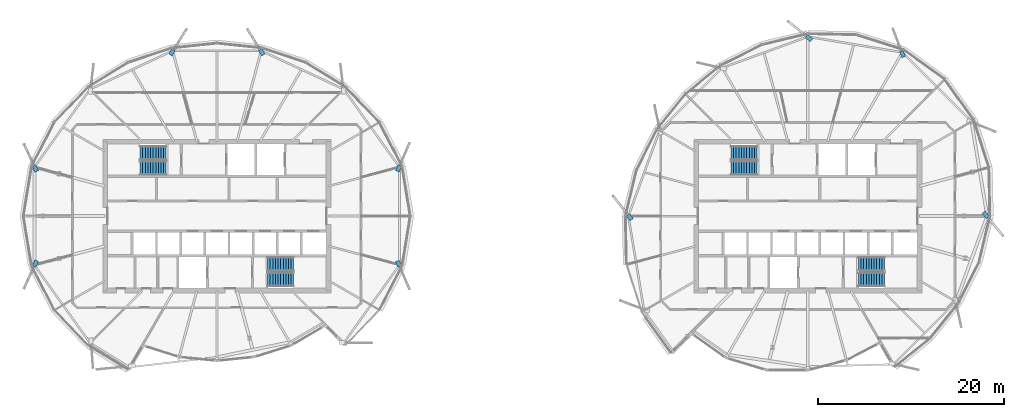
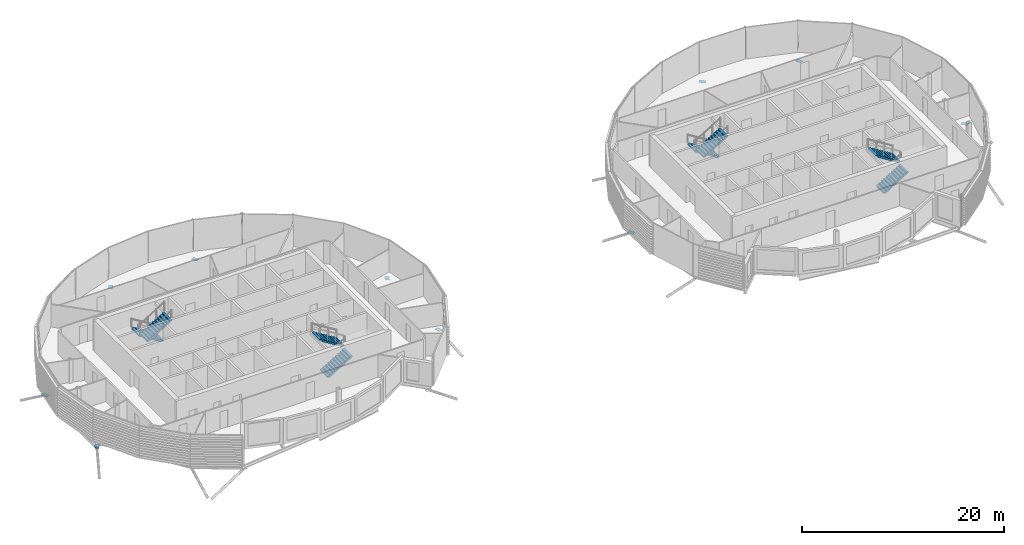
# One storey, part 24 of 35: 10 discrete accessories, 8 stair flights, 4 elements without a shape of their own.
"""IFC4 building model written with IfcOpenShell, lengths in metres."""

from ifc_helpers import new_model, si_unit, direction, frame, origin, origin_2d, place, context, subcontext, project, spatial, polyline, rectangle, outline, extrude, material, material_profile, profile_set, type_object, element, aggregate, save


model = new_model("IFC4")

# Units and contexts
model_context = context("Model", 3, precision=1e-05, world=origin(), true_north=direction((0.0, 1.0)))
body_context = subcontext(model_context, "Body", "Model", "MODEL_VIEW")
ifc_project = project(units=[si_unit("LENGTHUNIT", "METRE"), si_unit("AREAUNIT", "SQUARE_METRE"), si_unit("VOLUMEUNIT", "CUBIC_METRE"), si_unit("PLANEANGLEUNIT", "RADIAN"), si_unit("MASSUNIT", "GRAM", prefix="KILO")], contexts=[model_context])

# Site, building, storey
site_placement = place(None, origin())
site = spatial("IfcSite", under=ifc_project, at=site_placement, CompositionType="ELEMENT")
building_placement = place(site_placement, origin())
building = spatial("IfcBuilding", under=site, at=building_placement, Name="Rimbun Link Towers", CompositionType="ELEMENT")
storey_placement = place(building_placement, frame((0.0, 0.0, 229.5)))
storey = spatial("IfcBuildingStorey", under=building, at=storey_placement, Name="L56", CompositionType="ELEMENT", Elevation=229.5)

# Stair, stair flights
ifc_material_1 = material(Name="Concrete C40/50", Category="concrete")
stair_type = type_object("IfcStairType", Name="Exit stair 3800 rise", PredefinedType="HALF_TURN_STAIR", material=ifc_material_1)
stair_1_placement = place(storey_placement, origin())
stair_1 = element("IfcStair", 1, at=stair_1_placement, inside=storey, type_object=stair_type, Name="L56 EXIT STAIR A", PredefinedType="HALF_TURN_STAIR")
ifc_material_2 = material(Name="Concrete C40/50", Category="concrete")
stair_flight_type = type_object("IfcStairFlightType", Name="Exit stair flight 3800 rise", PredefinedType="STRAIGHT", material=ifc_material_2)
stair_flight_1_placement = place(storey_placement, frame((-37.199951171875, 6.800048828125, 0.0), z_axis=(0.0, 0.0, 1.0), x_axis=(-1.0, 0.0, 0.0)))
stair_flight_1 = element("IfcStairFlight", 2, at=stair_flight_1_placement, type_object=stair_flight_type, Name="ST1 flight 1", NumberOfRisers=11, NumberOfTreads=10, PredefinedType="STRAIGHT", RiserHeight=0.172727273, TreadLength=0.28, context=body_context, shape_type="SweptSolid", body=[
    extrude(outline(polyline([(0.0, 0.0), (0.0, 0.172607421875), (0.280029296875, 0.172607421875), (0.280029296875, 0.345458984375), (0.56005859375, 0.345458984375), (0.56005859375, 0.51806640625), (0.840087890625, 0.51806640625), (0.840087890625, 0.69091796875), (1.1201171875, 0.69091796875), (1.1201171875, 0.863525390625), (1.39990234375, 0.863525390625), (1.39990234375, 1.036376953125), (1.679931640625, 1.036376953125), (1.679931640625, 1.208984375), (1.9599609375, 1.208984375), (1.9599609375, 1.3818359375), (2.239990234375, 1.3818359375), (2.239990234375, 1.554443359375), (2.52001953125, 1.554443359375), (2.52001953125, 1.727294921875), (2.800048828125, 1.727294921875), (2.800048828125, 1.89990234375), (2.800048828125, 1.551025390625), (0.280029296875, 0.0), (0.0, 0.0)])), frame((0.0, 0.75, 0.0), z_axis=(0.0, -1.0, 0.0), x_axis=(1.0, 0.0, 0.0)), (0.0, 0.0, 1.0), 1.5),
])
stair_flight_2_placement = place(storey_placement, frame((-40.0, 5.14990234375, 1.89990234375), z_axis=(0.0, 0.0, 1.0), x_axis=(1.0, 0.0, 0.0)))
stair_flight_2 = element("IfcStairFlight", 3, at=stair_flight_2_placement, type_object=stair_flight_type, Name="ST1 flight 2", NumberOfRisers=11, NumberOfTreads=10, PredefinedType="STRAIGHT", RiserHeight=0.172727273, TreadLength=0.28, context=body_context, shape_type="SweptSolid", body=[
    extrude(outline(polyline([(0.0, 0.0), (0.0, 0.172607421875), (0.280029296875, 0.172607421875), (0.280029296875, 0.345458984375), (0.56005859375, 0.345458984375), (0.56005859375, 0.51806640625), (0.840087890625, 0.51806640625), (0.840087890625, 0.69091796875), (1.1201171875, 0.69091796875), (1.1201171875, 0.863525390625), (1.39990234375, 0.863525390625), (1.39990234375, 1.036376953125), (1.679931640625, 1.036376953125), (1.679931640625, 1.208984375), (1.9599609375, 1.208984375), (1.9599609375, 1.3818359375), (2.239990234375, 1.3818359375), (2.239990234375, 1.554443359375), (2.52001953125, 1.554443359375), (2.52001953125, 1.727294921875), (2.800048828125, 1.727294921875), (2.800048828125, 1.89990234375), (2.800048828125, 1.551025390625), (0.280029296875, 0.0), (0.0, 0.0)])), frame((0.0, 0.75, 0.0), z_axis=(0.0, -1.0, 0.0), x_axis=(1.0, 0.0, 0.0)), (0.0, 0.0, 1.0), 1.5),
])
aggregate(stair_1, [stair_flight_1, stair_flight_2])

stair_2_placement = place(storey_placement, origin())
stair_2 = element("IfcStair", 4, at=stair_2_placement, inside=storey, type_object=stair_type, Name="L56 EXIT STAIR B", PredefinedType="HALF_TURN_STAIR")
stair_flight_3_placement = place(storey_placement, frame((-26.300048828125, -6.800048828125, 0.0), z_axis=(0.0, 0.0, 1.0), x_axis=(1.0, 0.0, 0.0)))
stair_flight_3 = element("IfcStairFlight", 5, at=stair_flight_3_placement, type_object=stair_flight_type, Name="ST2 flight 1", NumberOfRisers=11, NumberOfTreads=10, PredefinedType="STRAIGHT", RiserHeight=0.172727273, TreadLength=0.28, context=body_context, shape_type="SweptSolid", body=[
    extrude(outline(polyline([(0.0, 0.0), (0.0, 0.172607421875), (0.280029296875, 0.172607421875), (0.280029296875, 0.345458984375), (0.56005859375, 0.345458984375), (0.56005859375, 0.51806640625), (0.840087890625, 0.51806640625), (0.840087890625, 0.69091796875), (1.1201171875, 0.69091796875), (1.1201171875, 0.863525390625), (1.39990234375, 0.863525390625), (1.39990234375, 1.036376953125), (1.679931640625, 1.036376953125), (1.679931640625, 1.208984375), (1.9599609375, 1.208984375), (1.9599609375, 1.3818359375), (2.239990234375, 1.3818359375), (2.239990234375, 1.554443359375), (2.52001953125, 1.554443359375), (2.52001953125, 1.727294921875), (2.800048828125, 1.727294921875), (2.800048828125, 1.89990234375), (2.800048828125, 1.551025390625), (0.280029296875, 0.0), (0.0, 0.0)])), frame((0.0, 0.75, 0.0), z_axis=(0.0, -1.0, 0.0), x_axis=(1.0, 0.0, 0.0)), (0.0, 0.0, 1.0), 1.5),
])
stair_flight_4_placement = place(storey_placement, frame((-23.5, -5.14990234375, 1.89990234375), z_axis=(0.0, 0.0, 1.0), x_axis=(-1.0, 0.0, 0.0)))
stair_flight_4 = element("IfcStairFlight", 6, at=stair_flight_4_placement, type_object=stair_flight_type, Name="ST2 flight 2", NumberOfRisers=11, NumberOfTreads=10, PredefinedType="STRAIGHT", RiserHeight=0.172727273, TreadLength=0.28, context=body_context, shape_type="SweptSolid", body=[
    extrude(outline(polyline([(0.0, 0.0), (0.0, 0.172607421875), (0.280029296875, 0.172607421875), (0.280029296875, 0.345458984375), (0.56005859375, 0.345458984375), (0.56005859375, 0.51806640625), (0.840087890625, 0.51806640625), (0.840087890625, 0.69091796875), (1.1201171875, 0.69091796875), (1.1201171875, 0.863525390625), (1.39990234375, 0.863525390625), (1.39990234375, 1.036376953125), (1.679931640625, 1.036376953125), (1.679931640625, 1.208984375), (1.9599609375, 1.208984375), (1.9599609375, 1.3818359375), (2.239990234375, 1.3818359375), (2.239990234375, 1.554443359375), (2.52001953125, 1.554443359375), (2.52001953125, 1.727294921875), (2.800048828125, 1.727294921875), (2.800048828125, 1.89990234375), (2.800048828125, 1.551025390625), (0.280029296875, 0.0), (0.0, 0.0)])), frame((0.0, 0.75, 0.0), z_axis=(0.0, -1.0, 0.0), x_axis=(1.0, 0.0, 0.0)), (0.0, 0.0, 1.0), 1.5),
])
aggregate(stair_2, [stair_flight_3, stair_flight_4])

stair_3_placement = place(storey_placement, origin())
stair_3 = element("IfcStair", 7, at=stair_3_placement, inside=storey, type_object=stair_type, Name="L56 EXIT STAIR A", PredefinedType="HALF_TURN_STAIR")
stair_flight_5_placement = place(storey_placement, frame((26.300048828125, 6.800048828125, 0.0), z_axis=(0.0, 0.0, 1.0), x_axis=(-1.0, 0.0, 0.0)))
stair_flight_5 = element("IfcStairFlight", 8, at=stair_flight_5_placement, type_object=stair_flight_type, Name="ST3 flight 1", NumberOfRisers=11, NumberOfTreads=10, PredefinedType="STRAIGHT", RiserHeight=0.172727273, TreadLength=0.28, context=body_context, shape_type="SweptSolid", body=[
    extrude(outline(polyline([(0.0, 0.0), (0.0, 0.172607421875), (0.280029296875, 0.172607421875), (0.280029296875, 0.345458984375), (0.56005859375, 0.345458984375), (0.56005859375, 0.51806640625), (0.840087890625, 0.51806640625), (0.840087890625, 0.69091796875), (1.1201171875, 0.69091796875), (1.1201171875, 0.863525390625), (1.39990234375, 0.863525390625), (1.39990234375, 1.036376953125), (1.679931640625, 1.036376953125), (1.679931640625, 1.208984375), (1.9599609375, 1.208984375), (1.9599609375, 1.3818359375), (2.239990234375, 1.3818359375), (2.239990234375, 1.554443359375), (2.52001953125, 1.554443359375), (2.52001953125, 1.727294921875), (2.800048828125, 1.727294921875), (2.800048828125, 1.89990234375), (2.800048828125, 1.551025390625), (0.280029296875, 0.0), (0.0, 0.0)])), frame((0.0, 0.75, 0.0), z_axis=(0.0, -1.0, 0.0), x_axis=(1.0, 0.0, 0.0)), (0.0, 0.0, 1.0), 1.5),
])
stair_flight_6_placement = place(storey_placement, frame((23.5, 5.14990234375, 1.89990234375), z_axis=(0.0, 0.0, 1.0), x_axis=(1.0, 0.0, 0.0)))
stair_flight_6 = element("IfcStairFlight", 9, at=stair_flight_6_placement, type_object=stair_flight_type, Name="ST3 flight 2", NumberOfRisers=11, NumberOfTreads=10, PredefinedType="STRAIGHT", RiserHeight=0.172727273, TreadLength=0.28, context=body_context, shape_type="SweptSolid", body=[
    extrude(outline(polyline([(0.0, 0.0), (0.0, 0.172607421875), (0.280029296875, 0.172607421875), (0.280029296875, 0.345458984375), (0.56005859375, 0.345458984375), (0.56005859375, 0.51806640625), (0.840087890625, 0.51806640625), (0.840087890625, 0.69091796875), (1.1201171875, 0.69091796875), (1.1201171875, 0.863525390625), (1.39990234375, 0.863525390625), (1.39990234375, 1.036376953125), (1.679931640625, 1.036376953125), (1.679931640625, 1.208984375), (1.9599609375, 1.208984375), (1.9599609375, 1.3818359375), (2.239990234375, 1.3818359375), (2.239990234375, 1.554443359375), (2.52001953125, 1.554443359375), (2.52001953125, 1.727294921875), (2.800048828125, 1.727294921875), (2.800048828125, 1.89990234375), (2.800048828125, 1.551025390625), (0.280029296875, 0.0), (0.0, 0.0)])), frame((0.0, 0.75, 0.0), z_axis=(0.0, -1.0, 0.0), x_axis=(1.0, 0.0, 0.0)), (0.0, 0.0, 1.0), 1.5),
])
aggregate(stair_3, [stair_flight_5, stair_flight_6])

stair_4_placement = place(storey_placement, origin())
stair_4 = element("IfcStair", 10, at=stair_4_placement, inside=storey, type_object=stair_type, Name="L56 EXIT STAIR B", PredefinedType="HALF_TURN_STAIR")
stair_flight_7_placement = place(storey_placement, frame((37.199951171875, -6.800048828125, 0.0), z_axis=(0.0, 0.0, 1.0), x_axis=(1.0, 0.0, 0.0)))
stair_flight_7 = element("IfcStairFlight", 11, at=stair_flight_7_placement, type_object=stair_flight_type, Name="ST4 flight 1", NumberOfRisers=11, NumberOfTreads=10, PredefinedType="STRAIGHT", RiserHeight=0.172727273, TreadLength=0.28, context=body_context, shape_type="SweptSolid", body=[
    extrude(outline(polyline([(0.0, 0.0), (0.0, 0.172607421875), (0.280029296875, 0.172607421875), (0.280029296875, 0.345458984375), (0.56005859375, 0.345458984375), (0.56005859375, 0.51806640625), (0.840087890625, 0.51806640625), (0.840087890625, 0.69091796875), (1.1201171875, 0.69091796875), (1.1201171875, 0.863525390625), (1.39990234375, 0.863525390625), (1.39990234375, 1.036376953125), (1.679931640625, 1.036376953125), (1.679931640625, 1.208984375), (1.9599609375, 1.208984375), (1.9599609375, 1.3818359375), (2.239990234375, 1.3818359375), (2.239990234375, 1.554443359375), (2.52001953125, 1.554443359375), (2.52001953125, 1.727294921875), (2.800048828125, 1.727294921875), (2.800048828125, 1.89990234375), (2.800048828125, 1.551025390625), (0.280029296875, 0.0), (0.0, 0.0)])), frame((0.0, 0.75, 0.0), z_axis=(0.0, -1.0, 0.0), x_axis=(1.0, 0.0, 0.0)), (0.0, 0.0, 1.0), 1.5),
])
stair_flight_8_placement = place(storey_placement, frame((40.0, -5.14990234375, 1.89990234375), z_axis=(0.0, 0.0, 1.0), x_axis=(-1.0, 0.0, 0.0)))
stair_flight_8 = element("IfcStairFlight", 12, at=stair_flight_8_placement, type_object=stair_flight_type, Name="ST4 flight 2", NumberOfRisers=11, NumberOfTreads=10, PredefinedType="STRAIGHT", RiserHeight=0.172727273, TreadLength=0.28, context=body_context, shape_type="SweptSolid", body=[
    extrude(outline(polyline([(0.0, 0.0), (0.0, 0.172607421875), (0.280029296875, 0.172607421875), (0.280029296875, 0.345458984375), (0.56005859375, 0.345458984375), (0.56005859375, 0.51806640625), (0.840087890625, 0.51806640625), (0.840087890625, 0.69091796875), (1.1201171875, 0.69091796875), (1.1201171875, 0.863525390625), (1.39990234375, 0.863525390625), (1.39990234375, 1.036376953125), (1.679931640625, 1.036376953125), (1.679931640625, 1.208984375), (1.9599609375, 1.208984375), (1.9599609375, 1.3818359375), (2.239990234375, 1.3818359375), (2.239990234375, 1.554443359375), (2.52001953125, 1.554443359375), (2.52001953125, 1.727294921875), (2.800048828125, 1.727294921875), (2.800048828125, 1.89990234375), (2.800048828125, 1.551025390625), (0.280029296875, 0.0), (0.0, 0.0)])), frame((0.0, 0.75, 0.0), z_axis=(0.0, -1.0, 0.0), x_axis=(1.0, 0.0, 0.0)), (0.0, 0.0, 1.0), 1.5),
])
aggregate(stair_4, [stair_flight_7, stair_flight_8])

# Discrete accessories
ifc_material_3 = material(Name="Steel S355J2H", Category="steel")
ifc_material_profile = material_profile(ifc_material_3, rectangle(XDim=0.43310546875, YDim=0.43310546875, at=origin_2d()), Name="PL 433x433")
ifc_profile_set = profile_set([ifc_material_profile], Name="Steel S355J2H")
discrete_accessory_type = type_object("IfcDiscreteAccessoryType", Name="Link head end plate 433X20", PredefinedType="BRACKET", material=ifc_profile_set)
discrete_accessory_1_placement = place(storey_placement, frame((0.0, 0.0, -0.56640625)))
element("IfcDiscreteAccessory", 13, at=discrete_accessory_1_placement, inside=storey, type_object=discrete_accessory_type, Name="Link head end plate T1 L56 01", PredefinedType="BRACKET", context=body_context, shape_type="SweptSolid", body=[
    extrude(outline(polyline([(-12.1611328125, 4.733642578125), (-11.906005859375, 5.330078125), (-12.30419921875, 5.500244140625), (-12.559326171875, 4.90380859375), (-12.1611328125, 4.733642578125)])), origin(), (0.0, 0.0, 1.0), 0.02001953125),
])
discrete_accessory_2_placement = place(storey_placement, frame((0.0, 0.0, -0.693115234375)))
element("IfcDiscreteAccessory", 14, at=discrete_accessory_2_placement, inside=storey, type_object=discrete_accessory_type, Name="Link head end plate T1 L56 05", PredefinedType="BRACKET", context=body_context, shape_type="SweptSolid", body=[
    extrude(outline(polyline([(-26.5703125, 17.43505859375), (-26.916259765625, 17.9912109375), (-27.283935546875, 17.76220703125), (-26.93798828125, 17.206298828125), (-26.5703125, 17.43505859375)])), origin(), (0.0, 0.0, 1.0), 0.02001953125),
])
discrete_accessory_3_placement = place(storey_placement, frame((0.0, 0.0, -0.693115234375)))
element("IfcDiscreteAccessory", 15, at=discrete_accessory_3_placement, inside=storey, type_object=discrete_accessory_type, Name="Link head end plate T1 L56 07", PredefinedType="BRACKET", context=body_context, shape_type="SweptSolid", body=[
    extrude(outline(polyline([(-36.56201171875, 17.206298828125), (-36.216064453125, 17.76220703125), (-36.583740234375, 17.9912109375), (-36.9296875, 17.43505859375), (-36.56201171875, 17.206298828125)])), origin(), (0.0, 0.0, 1.0), 0.02001953125),
])
discrete_accessory_4_placement = place(storey_placement, frame((0.0, 0.0, -1.000732421875)))
element("IfcDiscreteAccessory", 16, at=discrete_accessory_4_placement, inside=storey, type_object=discrete_accessory_type, Name="Link head end plate T1 L56 11", PredefinedType="BRACKET", context=body_context, shape_type="SweptSolid", body=[
    extrude(outline(polyline([(-50.91650390625, 4.884521484375), (-51.20263671875, 5.502197265625), (-51.595703125, 5.3203125), (-51.3095703125, 4.70263671875), (-50.91650390625, 4.884521484375)])), origin(), (0.0, 0.0, 1.0), 0.02001953125),
])
discrete_accessory_5_placement = place(storey_placement, frame((0.0, 0.0, -1.000732421875)))
element("IfcDiscreteAccessory", 17, at=discrete_accessory_5_placement, inside=storey, type_object=discrete_accessory_type, Name="Link head end plate T1 L56 13", PredefinedType="BRACKET", context=body_context, shape_type="SweptSolid", body=[
    extrude(outline(polyline([(-51.3095703125, -4.70263671875), (-51.595703125, -5.3203125), (-51.20263671875, -5.502197265625), (-50.91650390625, -4.884521484375), (-51.3095703125, -4.70263671875)])), origin(), (0.0, 0.0, 1.0), 0.02001953125),
])
discrete_accessory_6_placement = place(storey_placement, frame((0.0, 0.0, -0.56640625)))
element("IfcDiscreteAccessory", 18, at=discrete_accessory_6_placement, inside=storey, type_object=discrete_accessory_type, Name="Link head end plate T1 L56 23", PredefinedType="BRACKET", context=body_context, shape_type="SweptSolid", body=[
    extrude(outline(polyline([(-12.559326171875, -4.90380859375), (-12.30419921875, -5.500244140625), (-11.906005859375, -5.330078125), (-12.1611328125, -4.733642578125), (-12.559326171875, -4.90380859375)])), origin(), (0.0, 0.0, 1.0), 0.02001953125),
])
discrete_accessory_7_placement = place(storey_placement, frame((0.0, 0.0, -0.7626953125)))
element("IfcDiscreteAccessory", 19, at=discrete_accessory_7_placement, inside=storey, type_object=discrete_accessory_type, Name="Link head end plate T2 L56 01", PredefinedType="BRACKET", context=body_context, shape_type="SweptSolid", body=[
    extrude(outline(polyline([(42.2548828125, 17.180419921875), (42.0166015625, 17.798095703125), (41.612548828125, 17.642333984375), (41.850830078125, 17.024658203125), (42.2548828125, 17.180419921875)])), origin(), (0.0, 0.0, 1.0), 0.02001953125),
])
discrete_accessory_8_placement = place(storey_placement, frame((0.0, 0.0, -0.7626953125)))
element("IfcDiscreteAccessory", 20, at=discrete_accessory_8_placement, inside=storey, type_object=discrete_accessory_type, Name="Link head end plate T2 L56 03", PredefinedType="BRACKET", context=body_context, shape_type="SweptSolid", body=[
    extrude(outline(polyline([(32.287109375, 19.07763671875), (31.7421875, 19.513916015625), (31.4716796875, 19.17578125), (32.0166015625, 18.739501953125), (32.287109375, 19.07763671875)])), origin(), (0.0, 0.0, 1.0), 0.02001953125),
])
discrete_accessory_9_placement = place(storey_placement, frame((0.0, 0.0, -0.56640625)))
element("IfcDiscreteAccessory", 21, at=discrete_accessory_9_placement, inside=storey, type_object=discrete_accessory_type, Name="Link head end plate T2 L56 09", PredefinedType="BRACKET", context=body_context, shape_type="SweptSolid", body=[
    extrude(outline(polyline([(12.99560546875, -0.25830078125), (12.577392578125, 0.2783203125), (12.23583984375, 0.011962890625), (12.654296875, -0.524658203125), (12.99560546875, -0.25830078125)])), origin(), (0.0, 0.0, 1.0), 0.02001953125),
])
discrete_accessory_10_placement = place(storey_placement, frame((0.0, 0.0, -1.000732421875)))
element("IfcDiscreteAccessory", 22, at=discrete_accessory_10_placement, inside=storey, type_object=discrete_accessory_type, Name="Link head end plate T2 L56 21", PredefinedType="BRACKET", context=body_context, shape_type="SweptSolid", body=[
    extrude(outline(polyline([(50.46923828125, 0.278076171875), (50.9296875, -0.278564453125), (51.26318359375, -0.00244140625), (50.802978515625, 0.55419921875), (50.46923828125, 0.278076171875)])), origin(), (0.0, 0.0, 1.0), 0.02001953125),
])

save(model, "model.ifc")
